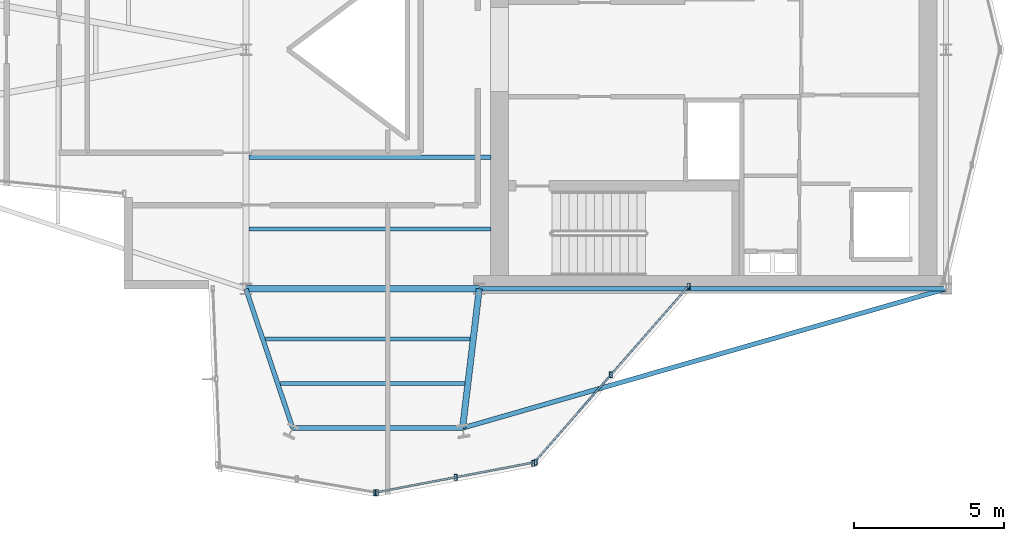
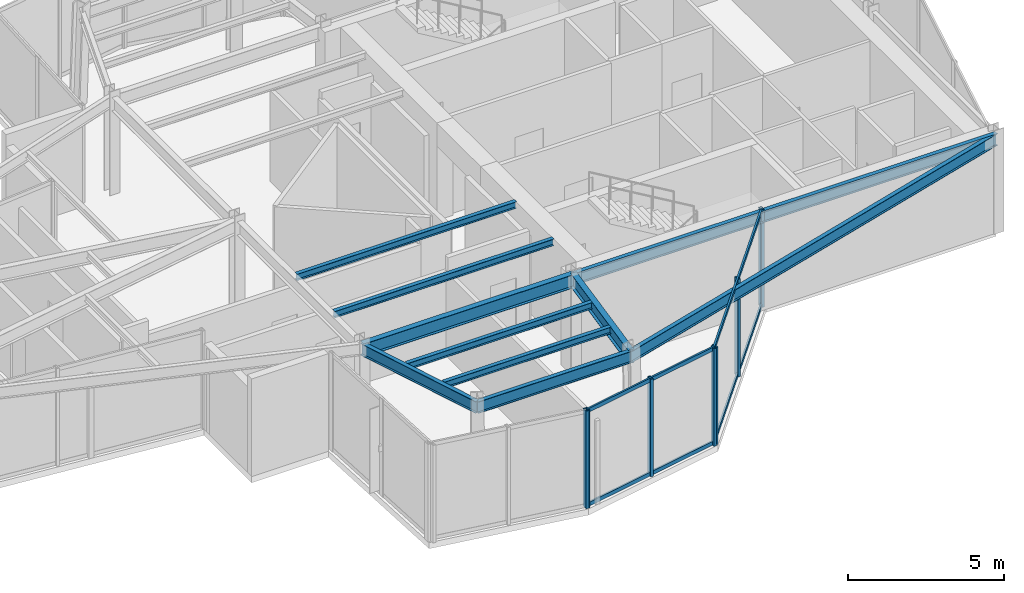
# One storey, part 3 of 13: 11 members, 10 beams, 3 elements without a shape of their own.
"""IFC4 building model written with IfcOpenShell, lengths in metres."""

from ifc_helpers import new_model, si_unit, direction, frame, origin, origin_2d, place, context, subcontext, project, spatial, hollow_rectangle, i_section, extrude, material, layer, layer_set, material_profile, profile_set, type_object, element, aggregate, save


model = new_model("IFC4")

# Units and contexts
model_context = context("Model", 3, precision=1e-05, world=origin(), true_north=direction((0.0, 1.0)))
body_context = subcontext(model_context, "Body", "Model", "MODEL_VIEW")
ifc_project = project(units=[si_unit("LENGTHUNIT", "METRE"), si_unit("AREAUNIT", "SQUARE_METRE"), si_unit("VOLUMEUNIT", "CUBIC_METRE"), si_unit("PLANEANGLEUNIT", "RADIAN"), si_unit("MASSUNIT", "GRAM", prefix="KILO")], contexts=[model_context])

# Site, building, storey
site_placement = place(None, origin())
site = spatial("IfcSite", under=ifc_project, at=site_placement, CompositionType="ELEMENT")
building_placement = place(site_placement, origin())
building = spatial("IfcBuilding", under=site, at=building_placement, Name="Veymaron Broadcast Tower", CompositionType="ELEMENT")
storey_placement = place(building_placement, frame((0.0, 0.0, 274.949951171875)))
storey = spatial("IfcBuildingStorey", under=building, at=storey_placement, Name="L64", CompositionType="ELEMENT", Elevation=274.949951171875)

# Beams
ifc_material_1 = material(Name="Structural steel ASTM A992 Gr 50", Category="steel")
ifc_material_profile_1 = material_profile(ifc_material_1, i_section(OverallWidth=0.208984375, OverallDepth=0.528076171875, WebThickness=0.009521484375, FlangeThickness=0.01318359375, at=origin_2d()), Name="W530X82")
ifc_profile_set_1 = profile_set([ifc_material_profile_1], Name="Structural steel ASTM A992 Gr 50")
beam_type_1 = type_object("IfcBeamType", Name="BM-FG4", PredefinedType="BEAM", material=ifc_profile_set_1)
beam_1_placement = place(storey_placement, frame((31.199951171875, 16.0, 3.546142578125), z_axis=(1.0, 0.0, 0.0), x_axis=(0.0, 1.0, 0.0)))
element("IfcBeam", 1, at=beam_1_placement, inside=storey, type_object=beam_type_1, Name="L64 primary structural floor girder", PredefinedType="BEAM", context=body_context, shape_type="SweptSolid", body=[
    extrude(i_section(OverallWidth=0.208984375, OverallDepth=0.528076171875, WebThickness=0.009521484375, FlangeThickness=0.01318359375, at=origin_2d()), origin(), (0.0, 0.0, 1.0), 7.800048828125),
])
beam_2_placement = place(storey_placement, frame((39.0, 16.0, 3.546142578125), z_axis=(-0.119114400744, -0.992880536387, 0.0), x_axis=(0.992880536387, -0.119114400744, 0.0)))
element("IfcBeam", 2, at=beam_2_placement, inside=storey, type_object=beam_type_1, Name="L64 primary structural floor girder", PredefinedType="BEAM", context=body_context, shape_type="SweptSolid", body=[
    extrude(i_section(OverallWidth=0.208984375, OverallDepth=0.528076171875, WebThickness=0.009521484375, FlangeThickness=0.01318359375, at=origin_2d()), origin(), (0.0, 0.0, 1.0), 4.685546875),
])
ifc_material_profile_2 = material_profile(ifc_material_1, i_section(OverallWidth=0.14599609375, OverallDepth=0.258056640625, WebThickness=0.006103515625, FlangeThickness=0.009033203125, at=origin_2d()), Name="W250X33")
ifc_profile_set_2 = profile_set([ifc_material_profile_2], Name="Structural steel ASTM A992 Gr 50")
beam_type_2 = type_object("IfcBeamType", Name="BM-JS4", PredefinedType="JOIST", material=ifc_profile_set_2)
beam_3_placement = place(storey_placement, frame((31.862548828125, 14.3251953125, 3.68115234375), z_axis=(1.0, 0.0, 0.0), x_axis=(0.0, 1.0, 0.0)))
element("IfcBeam", 3, at=beam_3_placement, inside=storey, type_object=beam_type_2, Name="L64 Arm-C secondary joist 1", PredefinedType="JOIST", context=body_context, shape_type="SweptSolid", body=[
    extrude(i_section(OverallWidth=0.14599609375, OverallDepth=0.258056640625, WebThickness=0.006103515625, FlangeThickness=0.009033203125, at=origin_2d()), origin(), (0.0, 0.0, 1.0), 6.836669921875),
])
beam_4_placement = place(storey_placement, frame((32.3623046875, 12.836669921875, 3.68115234375), z_axis=(1.0, 0.0, 0.0), x_axis=(0.0, 1.0, 0.0)))
element("IfcBeam", 4, at=beam_4_placement, inside=storey, type_object=beam_type_2, Name="L64 Arm-C secondary joist 2", PredefinedType="JOIST", context=body_context, shape_type="SweptSolid", body=[
    extrude(i_section(OverallWidth=0.14599609375, OverallDepth=0.258056640625, WebThickness=0.006103515625, FlangeThickness=0.009033203125, at=origin_2d()), origin(), (0.0, 0.0, 1.0), 6.158203125),
])
for number, where, z_axis, x_axis, name in (
    (5, (31.300048828125, 18.0, 3.68115234375), (1.0, 0.0, 0.0), (0.0, 1.0, 0.0), "L64 Hub secondary joist 1"),
    (6, (31.300048828125, 20.39990234375, 3.68115234375), (1.0, 0.0, 0.0), (0.0, 1.0, 0.0), "L64 Hub secondary joist 2"),
):
    element("IfcBeam", number, at=place(storey_placement, frame(where, z_axis=z_axis, x_axis=x_axis)), inside=storey, type_object=beam_type_2, Name=name, PredefinedType="JOIST", context=body_context, shape_type="SweptSolid", body=[
        extrude(i_section(OverallWidth=0.14599609375, OverallDepth=0.258056640625, WebThickness=0.006103515625, FlangeThickness=0.009033203125, at=origin_2d()), origin(), (0.0, 0.0, 1.0), 8.099853515625),
    ])
ifc_material_profile_3 = material_profile(ifc_material_1, i_section(OverallWidth=0.154052734375, OverallDepth=0.458984375, WebThickness=0.009033203125, FlangeThickness=0.015380859375, at=origin_2d()), Name="W460X68")
ifc_profile_set_3 = profile_set([ifc_material_profile_3], Name="Structural steel ASTM A992 Gr 50")
beam_type_3 = type_object("IfcBeamType", Name="BM-SP2", PredefinedType="SPANDREL", material=ifc_profile_set_3)
beam_5_placement = place(storey_placement, frame((39.0, 16.0, 3.58056640625), z_axis=(1.0, 0.0, 0.0), x_axis=(0.0, 1.0, 0.0)))
element("IfcBeam", 7, at=beam_5_placement, inside=storey, type_object=beam_type_3, Name="L64 primary structural floor girder", PredefinedType="SPANDREL", context=body_context, shape_type="SweptSolid", body=[
    extrude(i_section(OverallWidth=0.154052734375, OverallDepth=0.458984375, WebThickness=0.009033203125, FlangeThickness=0.015380859375, at=origin_2d()), origin(), (0.0, 0.0, 1.0), 15.60009765625),
])
beam_6_placement = place(storey_placement, frame((31.199951171875, 16.0, 3.58056640625), z_axis=(0.318391007143, -0.947959475173, 0.0), x_axis=(0.947959475173, 0.318391007143, 0.0)))
element("IfcBeam", 8, at=beam_6_placement, inside=storey, type_object=beam_type_3, Name="L64 primary structural floor girder", PredefinedType="SPANDREL", context=body_context, shape_type="SweptSolid", body=[
    extrude(i_section(OverallWidth=0.154052734375, OverallDepth=0.458984375, WebThickness=0.009033203125, FlangeThickness=0.015380859375, at=origin_2d()), origin(), (0.0, 0.0, 1.0), 4.907470703125),
])
beam_7_placement = place(storey_placement, frame((54.60009765625, 16.0, 3.58056640625), z_axis=(-0.960964746108, -0.276670845478, 0.0), x_axis=(0.276670845478, -0.960964746108, 0.0)))
element("IfcBeam", 9, at=beam_7_placement, inside=storey, type_object=beam_type_3, Name="L64 primary structural floor girder", PredefinedType="SPANDREL", context=body_context, shape_type="SweptSolid", body=[
    extrude(i_section(OverallWidth=0.154052734375, OverallDepth=0.458984375, WebThickness=0.009033203125, FlangeThickness=0.015380859375, at=origin_2d()), origin(), (0.0, 0.0, 1.0), 16.814453125),
])
beam_8_placement = place(storey_placement, frame((32.762451171875, 11.347900390625, 3.58056640625), z_axis=(1.0, 0.0, 0.0), x_axis=(0.0, 1.0, 0.0)))
element("IfcBeam", 10, at=beam_8_placement, inside=storey, type_object=beam_type_3, Name="L64 primary structural floor girder", PredefinedType="SPANDREL", context=body_context, shape_type="SweptSolid", body=[
    extrude(i_section(OverallWidth=0.154052734375, OverallDepth=0.458984375, WebThickness=0.009033203125, FlangeThickness=0.015380859375, at=origin_2d()), origin(), (0.0, 0.0, 1.0), 5.679443359375),
])

# Curtain wall, member
ifc_material_2 = material(Name="Anodised aluminium AA 6063-T6 and laminated low-E dark glass", Category="aluminium")
ifc_layer = layer(ifc_material_2, 0.179931640625)
ifc_layer_set = layer_set([ifc_layer], Name="Anodised aluminium AA 6063-T6 and laminated low-E dark glass")
curtain_wall_type = type_object("IfcCurtainWallType", Name="CW-SYS-06", PredefinedType="NOTDEFINED", material=ifc_layer_set)
curtain_wall_1_placement = place(storey_placement, origin())
curtain_wall_1 = element("IfcCurtainWall", 11, at=curtain_wall_1_placement, inside=storey, type_object=curtain_wall_type, Name="L64 dark-glass curtain wall CW-L64-E18-1", PredefinedType="NOTDEFINED")
ifc_material_3 = material(Name="Anodised aluminium AA 6063-T6", Category="aluminium")
ifc_material_profile_4 = material_profile(ifc_material_3, hollow_rectangle(XDim=0.10009765625, YDim=0.199951171875, WallThickness=0.010009765625, at=origin_2d()), Name="RHS200X100X10")
ifc_profile_set_4 = profile_set([ifc_material_profile_4], Name="Anodised aluminium AA 6063-T6")
member_type_1 = type_object("IfcMemberType", Name="CW-MUL-01", PredefinedType="MULLION", material=ifc_profile_set_4)
member_1_placement = place(storey_placement, frame((35.576904296875, 9.19287109375, 0.0), z_axis=(0.0, 0.0, 1.0), x_axis=(1.0, 0.0, 0.0)))
member_1 = element("IfcMember", 12, at=member_1_placement, type_object=member_type_1, Name="CW-L64-E18-1 mullion 2", PredefinedType="MULLION", context=body_context, shape_type="SweptSolid", body=[
    extrude(hollow_rectangle(XDim=0.10009765625, YDim=0.199951171875, WallThickness=0.010009765625, at=origin_2d()), origin(), (0.0, 0.0, 1.0), 3.81005859375),
])
aggregate(curtain_wall_1, [member_1])

# Curtain wall, members
curtain_wall_2_placement = place(storey_placement, origin())
curtain_wall_2 = element("IfcCurtainWall", 13, at=curtain_wall_2_placement, inside=storey, type_object=curtain_wall_type, Name="L64 dark-glass curtain wall CW-L64-E19-1", PredefinedType="NOTDEFINED")
member_2_placement = place(storey_placement, frame((35.527099609375, 9.1923828125, 0.0), z_axis=(0.0, 0.0, 1.0), x_axis=(1.0, 0.0, 0.0)))
member_2 = element("IfcMember", 14, at=member_2_placement, type_object=member_type_1, Name="CW-L64-E19-1 mullion 0", PredefinedType="MULLION", context=body_context, shape_type="SweptSolid", body=[
    extrude(hollow_rectangle(XDim=0.10009765625, YDim=0.199951171875, WallThickness=0.010009765625, at=origin_2d()), origin(), (0.0, 0.0, 1.0), 3.81005859375),
])
member_3_placement = place(storey_placement, frame((38.206298828125, 9.700439453125, 0.0), z_axis=(0.0, 0.0, 1.0), x_axis=(1.0, 0.0, 0.0)))
member_3 = element("IfcMember", 15, at=member_3_placement, type_object=member_type_1, Name="CW-L64-E19-1 mullion 1", PredefinedType="MULLION", context=body_context, shape_type="SweptSolid", body=[
    extrude(hollow_rectangle(XDim=0.10009765625, YDim=0.199951171875, WallThickness=0.010009765625, at=origin_2d()), origin(), (0.0, 0.0, 1.0), 3.81005859375),
])
member_4_placement = place(storey_placement, frame((40.88525390625, 10.208740234375, 0.0), z_axis=(0.0, 0.0, 1.0), x_axis=(1.0, 0.0, 0.0)))
member_4 = element("IfcMember", 16, at=member_4_placement, type_object=member_type_1, Name="CW-L64-E19-1 mullion 2", PredefinedType="MULLION", context=body_context, shape_type="SweptSolid", body=[
    extrude(hollow_rectangle(XDim=0.10009765625, YDim=0.199951171875, WallThickness=0.010009765625, at=origin_2d()), origin(), (0.0, 0.0, 1.0), 3.81005859375),
])

curtain_wall_3_placement = place(storey_placement, origin())
curtain_wall_3 = element("IfcCurtainWall", 17, at=curtain_wall_3_placement, inside=storey, type_object=curtain_wall_type, Name="L64 dark-glass curtain wall CW-L64-E20-1", PredefinedType="NOTDEFINED")
member_5_placement = place(storey_placement, frame((40.805908203125, 10.163330078125, 0.0), z_axis=(0.0, 0.0, 1.0), x_axis=(1.0, 0.0, 0.0)))
member_5 = element("IfcMember", 18, at=member_5_placement, type_object=member_type_1, Name="CW-L64-E20-1 mullion 0", PredefinedType="MULLION", context=body_context, shape_type="SweptSolid", body=[
    extrude(hollow_rectangle(XDim=0.10009765625, YDim=0.199951171875, WallThickness=0.010009765625, at=origin_2d()), origin(), (0.0, 0.0, 1.0), 3.81005859375),
])
member_6_placement = place(storey_placement, frame((43.400146484375, 13.127685546875, 0.0), z_axis=(0.0, 0.0, 1.0), x_axis=(1.0, 0.0, 0.0)))
member_6 = element("IfcMember", 19, at=member_6_placement, type_object=member_type_1, Name="CW-L64-E20-1 mullion 1", PredefinedType="MULLION", context=body_context, shape_type="SweptSolid", body=[
    extrude(hollow_rectangle(XDim=0.10009765625, YDim=0.199951171875, WallThickness=0.010009765625, at=origin_2d()), origin(), (0.0, 0.0, 1.0), 3.81005859375),
])
member_7_placement = place(storey_placement, frame((45.994384765625, 16.09228515625, 0.0), z_axis=(0.0, 0.0, 1.0), x_axis=(1.0, 0.0, 0.0)))
member_7 = element("IfcMember", 20, at=member_7_placement, type_object=member_type_1, Name="CW-L64-E20-1 mullion 2", PredefinedType="MULLION", context=body_context, shape_type="SweptSolid", body=[
    extrude(hollow_rectangle(XDim=0.10009765625, YDim=0.199951171875, WallThickness=0.010009765625, at=origin_2d()), origin(), (0.0, 0.0, 1.0), 3.81005859375),
])

# Member
ifc_material_profile_5 = material_profile(ifc_material_3, hollow_rectangle(XDim=0.06494140625, YDim=0.14990234375, WallThickness=0.00390625, at=origin_2d()), Name="AL150X65X4")
ifc_profile_set_5 = profile_set([ifc_material_profile_5], Name="Anodised aluminium AA 6063-T6")
member_type_2 = type_object("IfcMemberType", Name="CW-TRN-01", PredefinedType="USERDEFINED", material=ifc_profile_set_5)
member_8_placement = place(storey_placement, frame((35.576171875, 9.20166015625, 0.070068359375), z_axis=(0.982479182854, 0.186372356478, 0.0), x_axis=(-0.186372356478, 0.982479182854, 0.0)))
member_8 = element("IfcMember", 21, at=member_8_placement, type_object=member_type_2, Name="CW-L64-E19-1 transom B", ObjectType="TRANSOM", PredefinedType="USERDEFINED", context=body_context, shape_type="SweptSolid", body=[
    extrude(hollow_rectangle(XDim=0.06494140625, YDim=0.14990234375, WallThickness=0.00390625, at=origin_2d()), origin(), (0.0, 0.0, 1.0), 5.353759765625),
])

member_9_placement = place(storey_placement, frame((35.576171875, 9.20166015625, 3.739990234375), z_axis=(0.982479182854, 0.186372356478, 0.0), x_axis=(-0.186372356478, 0.982479182854, 0.0)))
member_9 = element("IfcMember", 22, at=member_9_placement, type_object=member_type_2, Name="CW-L64-E19-1 transom T", ObjectType="TRANSOM", PredefinedType="USERDEFINED", context=body_context, shape_type="SweptSolid", body=[
    extrude(hollow_rectangle(XDim=0.06494140625, YDim=0.14990234375, WallThickness=0.00390625, at=origin_2d()), origin(), (0.0, 0.0, 1.0), 5.353759765625),
])

aggregate(curtain_wall_2, [member_2, member_3, member_4, member_8, member_9])

member_10_placement = place(storey_placement, frame((40.8388671875, 10.200927734375, 0.070068359375), z_axis=(0.658560155481, 0.752528086926, 0.0), x_axis=(-0.752528086926, 0.658560155481, 0.0)))
member_10 = element("IfcMember", 23, at=member_10_placement, type_object=member_type_2, Name="CW-L64-E20-1 transom B", ObjectType="TRANSOM", PredefinedType="USERDEFINED", context=body_context, shape_type="SweptSolid", body=[
    extrude(hollow_rectangle(XDim=0.06494140625, YDim=0.14990234375, WallThickness=0.00390625, at=origin_2d()), origin(), (0.0, 0.0, 1.0), 7.77880859375),
])

member_11_placement = place(storey_placement, frame((40.8388671875, 10.200927734375, 3.739990234375), z_axis=(0.658560155481, 0.752528086926, 0.0), x_axis=(-0.752528086926, 0.658560155481, 0.0)))
member_11 = element("IfcMember", 24, at=member_11_placement, type_object=member_type_2, Name="CW-L64-E20-1 transom T", ObjectType="TRANSOM", PredefinedType="USERDEFINED", context=body_context, shape_type="SweptSolid", body=[
    extrude(hollow_rectangle(XDim=0.06494140625, YDim=0.14990234375, WallThickness=0.00390625, at=origin_2d()), origin(), (0.0, 0.0, 1.0), 7.77880859375),
])

aggregate(curtain_wall_3, [member_5, member_6, member_7, member_10, member_11])

save(model, "model.ifc")
